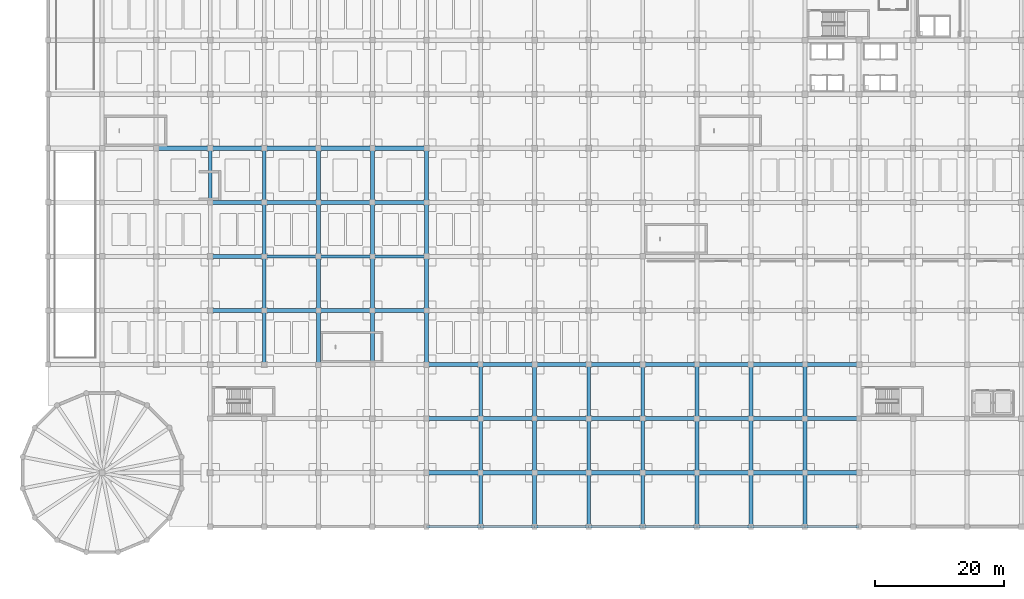
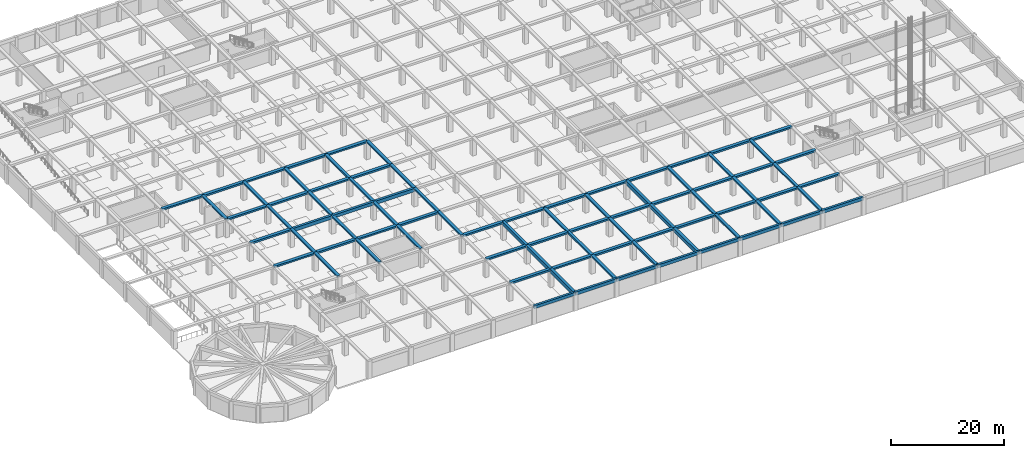
# One storey, part 4 of 32: 87 beams.
"""IFC4 building model written with IfcOpenShell, lengths in metres."""

from ifc_helpers import new_model, si_unit, direction, frame, origin, origin_2d, place, context, subcontext, project, spatial, rectangle, extrude, material, material_profile, profile_set, type_object, element, save


model = new_model("IFC4")

# Units and contexts
model_context = context("Model", 3, precision=1e-05, world=origin(), true_north=direction((0.0, 1.0)))
body_context = subcontext(model_context, "Body", "Model", "MODEL_VIEW")
ifc_project = project(units=[si_unit("LENGTHUNIT", "METRE"), si_unit("AREAUNIT", "SQUARE_METRE"), si_unit("VOLUMEUNIT", "CUBIC_METRE"), si_unit("PLANEANGLEUNIT", "RADIAN"), si_unit("MASSUNIT", "GRAM", prefix="KILO")], contexts=[model_context])

# Site, building, storey
site_placement = place(None, origin())
site = spatial("IfcSite", under=ifc_project, at=site_placement, CompositionType="ELEMENT")
building_placement = place(site_placement, origin())
building = spatial("IfcBuilding", under=site, at=building_placement, Name="Almacenes y Pasaje Nevantli", CompositionType="ELEMENT")
storey_placement = place(building_placement, frame((0.0, 0.0, -4.199951171875)))
storey = spatial("IfcBuildingStorey", under=building, at=storey_placement, Name="B01", CompositionType="ELEMENT", Elevation=-4.199951171875)

# Beams
ifc_material_1 = material(Name="Concrete C35/45", Category="concrete")
ifc_material_profile_1 = material_profile(ifc_material_1, rectangle(XDim=0.449951171875, YDim=0.64990234375, at=origin_2d()), Name="RC-BM-450x650")
ifc_profile_set_1 = profile_set([ifc_material_profile_1], Name="Concrete C35/45")
beam_type_1 = type_object("IfcBeamType", Name="BM-RC-450x650", PredefinedType="SPANDREL", material=ifc_profile_set_1)
for number, where, z_axis, x_axis, name in (
    (1, (58.800048828125, 0.0, 3.554931640625), (1.0, 0.0, 0.0), (0.0, 1.0, 0.0), "B01 East-West Reinforced Concrete Beam #609"),
    (2, (75.60009765625, 0.0, 3.554931640625), (1.0, 0.0, 0.0), (0.0, 1.0, 0.0), "B01 East-West Reinforced Concrete Beam #611"),
):
    element("IfcBeam", number, at=place(storey_placement, frame(where, z_axis=z_axis, x_axis=x_axis)), inside=storey, type_object=beam_type_1, Name=name, PredefinedType="SPANDREL", context=body_context, shape_type="SweptSolid", body=[
        extrude(rectangle(XDim=0.449951171875, YDim=0.64990234375, at=origin_2d()), origin(), (0.0, 0.0, 1.0), 8.39990234375),
    ])
for number, where, z_axis, x_axis, name in (
    (3, (92.39990234375, 0.0, 3.554931640625), (1.0, 0.0, 0.0), (0.0, 1.0, 0.0), "B01 East-West Reinforced Concrete Beam #613"),
    (4, (109.199951171875, 0.0, 3.554931640625), (1.0, 0.0, 0.0), (0.0, 1.0, 0.0), "B01 East-West Reinforced Concrete Beam #615"),
):
    element("IfcBeam", number, at=place(storey_placement, frame(where, z_axis=z_axis, x_axis=x_axis)), inside=storey, type_object=beam_type_1, Name=name, PredefinedType="SPANDREL", context=body_context, shape_type="SweptSolid", body=[
        extrude(rectangle(XDim=0.449951171875, YDim=0.64990234375, at=origin_2d()), origin(), (0.0, 0.0, 1.0), 8.400146484375),
    ])
ifc_material_2 = material(Name="Concrete C35/45", Category="concrete")
ifc_material_profile_2 = material_profile(ifc_material_2, rectangle(XDim=0.449951171875, YDim=0.699951171875, at=origin_2d()), Name="RC-BM-450x700")
ifc_profile_set_2 = profile_set([ifc_material_profile_2], Name="Concrete C35/45")
beam_type_2 = type_object("IfcBeamType", Name="BM-RC-450x700", PredefinedType="SPANDREL", material=ifc_profile_set_2)
beam_1_placement = place(storey_placement, frame((67.199951171875, 0.0, 3.530029296875), z_axis=(1.0, 0.0, 0.0), x_axis=(0.0, 1.0, 0.0)))
element("IfcBeam", 5, at=beam_1_placement, inside=storey, type_object=beam_type_2, Name="B01 East-West Reinforced Concrete Beam #610", PredefinedType="SPANDREL", context=body_context, shape_type="SweptSolid", body=[
    extrude(rectangle(XDim=0.449951171875, YDim=0.699951171875, at=origin_2d()), origin(), (0.0, 0.0, 1.0), 8.400146484375),
])
for number, where, z_axis, x_axis, name in (
    (6, (84.0, 0.0, 3.530029296875), (1.0, 0.0, 0.0), (0.0, 1.0, 0.0), "B01 East-West Reinforced Concrete Beam #612"),
    (7, (100.800048828125, 0.0, 3.530029296875), (1.0, 0.0, 0.0), (0.0, 1.0, 0.0), "B01 East-West Reinforced Concrete Beam #614"),
    (8, (117.60009765625, 0.0, 3.530029296875), (1.0, 0.0, 0.0), (0.0, 1.0, 0.0), "B01 East-West Reinforced Concrete Beam #616"),
):
    element("IfcBeam", number, at=place(storey_placement, frame(where, z_axis=z_axis, x_axis=x_axis)), inside=storey, type_object=beam_type_2, Name=name, PredefinedType="SPANDREL", context=body_context, shape_type="SweptSolid", body=[
        extrude(rectangle(XDim=0.449951171875, YDim=0.699951171875, at=origin_2d()), origin(), (0.0, 0.0, 1.0), 8.39990234375),
    ])
ifc_material_3 = material(Name="Concrete C35/45", Category="concrete")
ifc_material_profile_3 = material_profile(ifc_material_3, rectangle(XDim=0.5, YDim=0.699951171875, at=origin_2d()), Name="RC-BM-500x700")
ifc_profile_set_3 = profile_set([ifc_material_profile_3], Name="Concrete C35/45")
beam_type_3 = type_object("IfcBeamType", Name="BM-RC-500x700", PredefinedType="BEAM", material=ifc_profile_set_3)
beam_2_placement = place(storey_placement, frame((42.0, 42.0, 3.530029296875), z_axis=(1.0, 0.0, 0.0), x_axis=(0.0, 1.0, 0.0)))
element("IfcBeam", 9, at=beam_2_placement, inside=storey, type_object=beam_type_3, Name="B01 East-West Reinforced Concrete Beam #701", PredefinedType="BEAM", context=body_context, shape_type="SweptSolid", body=[
    extrude(rectangle(XDim=0.5, YDim=0.699951171875, at=origin_2d()), origin(), (0.0, 0.0, 1.0), 8.39990234375),
])
ifc_material_4 = material(Name="Concrete C35/45", Category="concrete")
ifc_material_profile_4 = material_profile(ifc_material_4, rectangle(XDim=0.5, YDim=0.75, at=origin_2d()), Name="RC-BM-500x750")
ifc_profile_set_4 = profile_set([ifc_material_profile_4], Name="Concrete C35/45")
beam_type_4 = type_object("IfcBeamType", Name="BM-RC-500x750", PredefinedType="BEAM", material=ifc_profile_set_4)
beam_3_placement = place(storey_placement, frame((33.60009765625, 42.0, 3.5048828125), z_axis=(1.0, 0.0, 0.0), x_axis=(0.0, 1.0, 0.0)))
element("IfcBeam", 10, at=beam_3_placement, inside=storey, type_object=beam_type_4, Name="B01 East-West Reinforced Concrete Beam #700", PredefinedType="BEAM", context=body_context, shape_type="SweptSolid", body=[
    extrude(rectangle(XDim=0.5, YDim=0.75, at=origin_2d()), origin(), (0.0, 0.0, 1.0), 8.39990234375),
])
beam_4_placement = place(storey_placement, frame((50.39990234375, 42.0, 3.5048828125), z_axis=(1.0, 0.0, 0.0), x_axis=(0.0, 1.0, 0.0)))
element("IfcBeam", 11, at=beam_4_placement, inside=storey, type_object=beam_type_4, Name="B01 East-West Reinforced Concrete Beam #702", PredefinedType="BEAM", context=body_context, shape_type="SweptSolid", body=[
    extrude(rectangle(XDim=0.5, YDim=0.75, at=origin_2d()), origin(), (0.0, 0.0, 1.0), 8.400146484375),
])
ifc_material_5 = material(Name="Concrete C35/45", Category="concrete")
ifc_material_profile_5 = material_profile(ifc_material_5, rectangle(XDim=0.550048828125, YDim=0.800048828125, at=origin_2d()), Name="RC-BM-550x800")
ifc_profile_set_5 = profile_set([ifc_material_profile_5], Name="Concrete C35/45")
beam_type_5 = type_object("IfcBeamType", Name="BM-RC-550x800", PredefinedType="BEAM", material=ifc_profile_set_5)
beam_5_placement = place(storey_placement, frame((67.199951171875, 0.0, 3.47998046875), z_axis=(0.0, 1.0, 0.0), x_axis=(-1.0, 0.0, 0.0)))
element("IfcBeam", 12, at=beam_5_placement, inside=storey, type_object=beam_type_5, Name="B01 North-South Reinforced Concrete Beam #996", PredefinedType="BEAM", context=body_context, shape_type="SweptSolid", body=[
    extrude(rectangle(XDim=0.550048828125, YDim=0.800048828125, at=origin_2d()), origin(), (0.0, 0.0, 1.0), 8.39990234375),
])
beam_6_placement = place(storey_placement, frame((67.199951171875, 8.39990234375, 3.47998046875), z_axis=(0.0, 1.0, 0.0), x_axis=(-1.0, 0.0, 0.0)))
element("IfcBeam", 13, at=beam_6_placement, inside=storey, type_object=beam_type_5, Name="B01 North-South Reinforced Concrete Beam #997", PredefinedType="BEAM", context=body_context, shape_type="SweptSolid", body=[
    extrude(rectangle(XDim=0.550048828125, YDim=0.800048828125, at=origin_2d()), origin(), (0.0, 0.0, 1.0), 8.400146484375),
])
for number, where, z_axis, x_axis, name in (
    (14, (67.199951171875, 16.800048828125, 3.47998046875), (0.0, 1.0, 0.0), (-1.0, 0.0, 0.0), "B01 North-South Reinforced Concrete Beam #998"),
    (15, (92.39990234375, 0.0, 3.47998046875), (0.0, 1.0, 0.0), (-1.0, 0.0, 0.0), "B01 North-South Reinforced Concrete Beam #1038"),
):
    element("IfcBeam", number, at=place(storey_placement, frame(where, z_axis=z_axis, x_axis=x_axis)), inside=storey, type_object=beam_type_5, Name=name, PredefinedType="BEAM", context=body_context, shape_type="SweptSolid", body=[
        extrude(rectangle(XDim=0.550048828125, YDim=0.800048828125, at=origin_2d()), origin(), (0.0, 0.0, 1.0), 8.39990234375),
    ])
beam_7_placement = place(storey_placement, frame((92.39990234375, 8.39990234375, 3.47998046875), z_axis=(0.0, 1.0, 0.0), x_axis=(-1.0, 0.0, 0.0)))
element("IfcBeam", 16, at=beam_7_placement, inside=storey, type_object=beam_type_5, Name="B01 North-South Reinforced Concrete Beam #1039", PredefinedType="BEAM", context=body_context, shape_type="SweptSolid", body=[
    extrude(rectangle(XDim=0.550048828125, YDim=0.800048828125, at=origin_2d()), origin(), (0.0, 0.0, 1.0), 8.400146484375),
])
beam_8_placement = place(storey_placement, frame((92.39990234375, 16.800048828125, 3.47998046875), z_axis=(0.0, 1.0, 0.0), x_axis=(-1.0, 0.0, 0.0)))
element("IfcBeam", 17, at=beam_8_placement, inside=storey, type_object=beam_type_5, Name="B01 North-South Reinforced Concrete Beam #1040", PredefinedType="BEAM", context=body_context, shape_type="SweptSolid", body=[
    extrude(rectangle(XDim=0.550048828125, YDim=0.800048828125, at=origin_2d()), origin(), (0.0, 0.0, 1.0), 8.39990234375),
])
ifc_material_6 = material(Name="Concrete C35/45", Category="concrete")
ifc_material_profile_6 = material_profile(ifc_material_6, rectangle(XDim=0.60009765625, YDim=0.320068359375, at=origin_2d()), Name="RC-BM-600x320")
ifc_profile_set_6 = profile_set([ifc_material_profile_6], Name="Concrete C35/45")
beam_type_6 = type_object("IfcBeamType", Name="BM-RC-600x320", PredefinedType="BEAM", material=ifc_profile_set_6)
for number, where, z_axis, x_axis, name in (
    (18, (25.199951171875, 50.39990234375, 3.719970703125), (0.0, 1.0, 0.0), (-1.0, 0.0, 0.0), "B01 North-South Reinforced Concrete Beam #934"),
    (19, (33.60009765625, 25.199951171875, 3.719970703125), (0.0, 1.0, 0.0), (-1.0, 0.0, 0.0), "B01 North-South Reinforced Concrete Beam #944"),
):
    element("IfcBeam", number, at=place(storey_placement, frame(where, z_axis=z_axis, x_axis=x_axis)), inside=storey, type_object=beam_type_6, Name=name, PredefinedType="BEAM", context=body_context, shape_type="SweptSolid", body=[
        extrude(rectangle(XDim=0.60009765625, YDim=0.320068359375, at=origin_2d()), origin(), (0.0, 0.0, 1.0), 8.400146484375),
    ])
for number, where, z_axis, x_axis, name in (
    (20, (33.60009765625, 42.0, 3.719970703125), (0.0, 1.0, 0.0), (-1.0, 0.0, 0.0), "B01 North-South Reinforced Concrete Beam #946"),
    (21, (42.0, 33.60009765625, 3.719970703125), (0.0, 1.0, 0.0), (-1.0, 0.0, 0.0), "B01 North-South Reinforced Concrete Beam #959"),
):
    element("IfcBeam", number, at=place(storey_placement, frame(where, z_axis=z_axis, x_axis=x_axis)), inside=storey, type_object=beam_type_6, Name=name, PredefinedType="BEAM", context=body_context, shape_type="SweptSolid", body=[
        extrude(rectangle(XDim=0.60009765625, YDim=0.320068359375, at=origin_2d()), origin(), (0.0, 0.0, 1.0), 8.39990234375),
    ])
for number, where, z_axis, x_axis, name in (
    (22, (42.0, 50.39990234375, 3.719970703125), (0.0, 1.0, 0.0), (-1.0, 0.0, 0.0), "B01 North-South Reinforced Concrete Beam #961"),
    (23, (50.39990234375, 25.199951171875, 3.719970703125), (0.0, 1.0, 0.0), (-1.0, 0.0, 0.0), "B01 North-South Reinforced Concrete Beam #972"),
):
    element("IfcBeam", number, at=place(storey_placement, frame(where, z_axis=z_axis, x_axis=x_axis)), inside=storey, type_object=beam_type_6, Name=name, PredefinedType="BEAM", context=body_context, shape_type="SweptSolid", body=[
        extrude(rectangle(XDim=0.60009765625, YDim=0.320068359375, at=origin_2d()), origin(), (0.0, 0.0, 1.0), 8.400146484375),
    ])
for number, where, z_axis, x_axis, name in (
    (24, (50.39990234375, 42.0, 3.719970703125), (0.0, 1.0, 0.0), (-1.0, 0.0, 0.0), "B01 North-South Reinforced Concrete Beam #974"),
    (25, (58.800048828125, 33.60009765625, 3.719970703125), (0.0, 1.0, 0.0), (-1.0, 0.0, 0.0), "B01 North-South Reinforced Concrete Beam #987"),
):
    element("IfcBeam", number, at=place(storey_placement, frame(where, z_axis=z_axis, x_axis=x_axis)), inside=storey, type_object=beam_type_6, Name=name, PredefinedType="BEAM", context=body_context, shape_type="SweptSolid", body=[
        extrude(rectangle(XDim=0.60009765625, YDim=0.320068359375, at=origin_2d()), origin(), (0.0, 0.0, 1.0), 8.39990234375),
    ])
beam_9_placement = place(storey_placement, frame((58.800048828125, 50.39990234375, 3.719970703125), z_axis=(0.0, 1.0, 0.0), x_axis=(-1.0, 0.0, 0.0)))
element("IfcBeam", 26, at=beam_9_placement, inside=storey, type_object=beam_type_6, Name="B01 North-South Reinforced Concrete Beam #989", PredefinedType="BEAM", context=body_context, shape_type="SweptSolid", body=[
    extrude(rectangle(XDim=0.60009765625, YDim=0.320068359375, at=origin_2d()), origin(), (0.0, 0.0, 1.0), 8.400146484375),
])
for number, where, z_axis, x_axis, name in (
    (27, (75.60009765625, 0.0, 3.719970703125), (0.0, 1.0, 0.0), (-1.0, 0.0, 0.0), "B01 North-South Reinforced Concrete Beam #1010"),
    (28, (75.60009765625, 16.800048828125, 3.719970703125), (0.0, 1.0, 0.0), (-1.0, 0.0, 0.0), "B01 North-South Reinforced Concrete Beam #1012"),
):
    element("IfcBeam", number, at=place(storey_placement, frame(where, z_axis=z_axis, x_axis=x_axis)), inside=storey, type_object=beam_type_6, Name=name, PredefinedType="BEAM", context=body_context, shape_type="SweptSolid", body=[
        extrude(rectangle(XDim=0.60009765625, YDim=0.320068359375, at=origin_2d()), origin(), (0.0, 0.0, 1.0), 8.39990234375),
    ])
for number, where, z_axis, x_axis, name in (
    (29, (84.0, 8.39990234375, 3.719970703125), (0.0, 1.0, 0.0), (-1.0, 0.0, 0.0), "B01 North-South Reinforced Concrete Beam #1025"),
    (30, (100.800048828125, 8.39990234375, 3.719970703125), (0.0, 1.0, 0.0), (-1.0, 0.0, 0.0), "B01 North-South Reinforced Concrete Beam #1053"),
):
    element("IfcBeam", number, at=place(storey_placement, frame(where, z_axis=z_axis, x_axis=x_axis)), inside=storey, type_object=beam_type_6, Name=name, PredefinedType="BEAM", context=body_context, shape_type="SweptSolid", body=[
        extrude(rectangle(XDim=0.60009765625, YDim=0.320068359375, at=origin_2d()), origin(), (0.0, 0.0, 1.0), 8.400146484375),
    ])
for number, where, z_axis, x_axis, name in (
    (31, (109.199951171875, 0.0, 3.719970703125), (0.0, 1.0, 0.0), (-1.0, 0.0, 0.0), "B01 North-South Reinforced Concrete Beam #1066"),
    (32, (109.199951171875, 16.800048828125, 3.719970703125), (0.0, 1.0, 0.0), (-1.0, 0.0, 0.0), "B01 North-South Reinforced Concrete Beam #1068"),
):
    element("IfcBeam", number, at=place(storey_placement, frame(where, z_axis=z_axis, x_axis=x_axis)), inside=storey, type_object=beam_type_6, Name=name, PredefinedType="BEAM", context=body_context, shape_type="SweptSolid", body=[
        extrude(rectangle(XDim=0.60009765625, YDim=0.320068359375, at=origin_2d()), origin(), (0.0, 0.0, 1.0), 8.39990234375),
    ])
beam_10_placement = place(storey_placement, frame((117.60009765625, 8.39990234375, 3.719970703125), z_axis=(0.0, 1.0, 0.0), x_axis=(-1.0, 0.0, 0.0)))
element("IfcBeam", 33, at=beam_10_placement, inside=storey, type_object=beam_type_6, Name="B01 North-South Reinforced Concrete Beam #1081", PredefinedType="BEAM", context=body_context, shape_type="SweptSolid", body=[
    extrude(rectangle(XDim=0.60009765625, YDim=0.320068359375, at=origin_2d()), origin(), (0.0, 0.0, 1.0), 8.400146484375),
])
ifc_material_7 = material(Name="Concrete C35/45", Category="concrete")
ifc_material_profile_7 = material_profile(ifc_material_7, rectangle(XDim=0.60009765625, YDim=0.340087890625, at=origin_2d()), Name="RC-BM-600x340")
ifc_profile_set_7 = profile_set([ifc_material_profile_7], Name="Concrete C35/45")
beam_type_7 = type_object("IfcBeamType", Name="BM-RC-600x340", PredefinedType="BEAM", material=ifc_profile_set_7)
beam_11_placement = place(storey_placement, frame((33.60009765625, 33.60009765625, 3.7099609375), z_axis=(0.0, 1.0, 0.0), x_axis=(-1.0, 0.0, 0.0)))
element("IfcBeam", 34, at=beam_11_placement, inside=storey, type_object=beam_type_7, Name="B01 North-South Reinforced Concrete Beam #945", PredefinedType="BEAM", context=body_context, shape_type="SweptSolid", body=[
    extrude(rectangle(XDim=0.60009765625, YDim=0.340087890625, at=origin_2d()), origin(), (0.0, 0.0, 1.0), 8.39990234375),
])
for number, where, z_axis, x_axis, name in (
    (35, (33.60009765625, 50.39990234375, 3.7099609375), (0.0, 1.0, 0.0), (-1.0, 0.0, 0.0), "B01 North-South Reinforced Concrete Beam #947"),
    (36, (42.0, 25.199951171875, 3.7099609375), (0.0, 1.0, 0.0), (-1.0, 0.0, 0.0), "B01 North-South Reinforced Concrete Beam #958"),
):
    element("IfcBeam", number, at=place(storey_placement, frame(where, z_axis=z_axis, x_axis=x_axis)), inside=storey, type_object=beam_type_7, Name=name, PredefinedType="BEAM", context=body_context, shape_type="SweptSolid", body=[
        extrude(rectangle(XDim=0.60009765625, YDim=0.340087890625, at=origin_2d()), origin(), (0.0, 0.0, 1.0), 8.400146484375),
    ])
for number, where, z_axis, x_axis, name in (
    (37, (42.0, 42.0, 3.7099609375), (0.0, 1.0, 0.0), (-1.0, 0.0, 0.0), "B01 North-South Reinforced Concrete Beam #960"),
    (38, (50.39990234375, 33.60009765625, 3.7099609375), (0.0, 1.0, 0.0), (-1.0, 0.0, 0.0), "B01 North-South Reinforced Concrete Beam #973"),
):
    element("IfcBeam", number, at=place(storey_placement, frame(where, z_axis=z_axis, x_axis=x_axis)), inside=storey, type_object=beam_type_7, Name=name, PredefinedType="BEAM", context=body_context, shape_type="SweptSolid", body=[
        extrude(rectangle(XDim=0.60009765625, YDim=0.340087890625, at=origin_2d()), origin(), (0.0, 0.0, 1.0), 8.39990234375),
    ])
for number, where, z_axis, x_axis, name in (
    (39, (50.39990234375, 50.39990234375, 3.7099609375), (0.0, 1.0, 0.0), (-1.0, 0.0, 0.0), "B01 North-South Reinforced Concrete Beam #975"),
    (40, (58.800048828125, 25.199951171875, 3.7099609375), (0.0, 1.0, 0.0), (-1.0, 0.0, 0.0), "B01 North-South Reinforced Concrete Beam #986"),
):
    element("IfcBeam", number, at=place(storey_placement, frame(where, z_axis=z_axis, x_axis=x_axis)), inside=storey, type_object=beam_type_7, Name=name, PredefinedType="BEAM", context=body_context, shape_type="SweptSolid", body=[
        extrude(rectangle(XDim=0.60009765625, YDim=0.340087890625, at=origin_2d()), origin(), (0.0, 0.0, 1.0), 8.400146484375),
    ])
beam_12_placement = place(storey_placement, frame((58.800048828125, 42.0, 3.7099609375), z_axis=(0.0, 1.0, 0.0), x_axis=(-1.0, 0.0, 0.0)))
element("IfcBeam", 41, at=beam_12_placement, inside=storey, type_object=beam_type_7, Name="B01 North-South Reinforced Concrete Beam #988", PredefinedType="BEAM", context=body_context, shape_type="SweptSolid", body=[
    extrude(rectangle(XDim=0.60009765625, YDim=0.340087890625, at=origin_2d()), origin(), (0.0, 0.0, 1.0), 8.39990234375),
])
beam_13_placement = place(storey_placement, frame((75.60009765625, 8.39990234375, 3.7099609375), z_axis=(0.0, 1.0, 0.0), x_axis=(-1.0, 0.0, 0.0)))
element("IfcBeam", 42, at=beam_13_placement, inside=storey, type_object=beam_type_7, Name="B01 North-South Reinforced Concrete Beam #1011", PredefinedType="BEAM", context=body_context, shape_type="SweptSolid", body=[
    extrude(rectangle(XDim=0.60009765625, YDim=0.340087890625, at=origin_2d()), origin(), (0.0, 0.0, 1.0), 8.400146484375),
])
for number, where, z_axis, x_axis, name in (
    (43, (84.0, 0.0, 3.7099609375), (0.0, 1.0, 0.0), (-1.0, 0.0, 0.0), "B01 North-South Reinforced Concrete Beam #1024"),
    (44, (84.0, 16.800048828125, 3.7099609375), (0.0, 1.0, 0.0), (-1.0, 0.0, 0.0), "B01 North-South Reinforced Concrete Beam #1026"),
    (45, (100.800048828125, 0.0, 3.7099609375), (0.0, 1.0, 0.0), (-1.0, 0.0, 0.0), "B01 North-South Reinforced Concrete Beam #1052"),
    (46, (100.800048828125, 16.800048828125, 3.7099609375), (0.0, 1.0, 0.0), (-1.0, 0.0, 0.0), "B01 North-South Reinforced Concrete Beam #1054"),
):
    element("IfcBeam", number, at=place(storey_placement, frame(where, z_axis=z_axis, x_axis=x_axis)), inside=storey, type_object=beam_type_7, Name=name, PredefinedType="BEAM", context=body_context, shape_type="SweptSolid", body=[
        extrude(rectangle(XDim=0.60009765625, YDim=0.340087890625, at=origin_2d()), origin(), (0.0, 0.0, 1.0), 8.39990234375),
    ])
beam_14_placement = place(storey_placement, frame((109.199951171875, 8.39990234375, 3.7099609375), z_axis=(0.0, 1.0, 0.0), x_axis=(-1.0, 0.0, 0.0)))
element("IfcBeam", 47, at=beam_14_placement, inside=storey, type_object=beam_type_7, Name="B01 North-South Reinforced Concrete Beam #1067", PredefinedType="BEAM", context=body_context, shape_type="SweptSolid", body=[
    extrude(rectangle(XDim=0.60009765625, YDim=0.340087890625, at=origin_2d()), origin(), (0.0, 0.0, 1.0), 8.400146484375),
])
for number, where, z_axis, x_axis, name in (
    (48, (117.60009765625, 0.0, 3.7099609375), (0.0, 1.0, 0.0), (-1.0, 0.0, 0.0), "B01 North-South Reinforced Concrete Beam #1080"),
    (49, (117.60009765625, 16.800048828125, 3.7099609375), (0.0, 1.0, 0.0), (-1.0, 0.0, 0.0), "B01 North-South Reinforced Concrete Beam #1082"),
):
    element("IfcBeam", number, at=place(storey_placement, frame(where, z_axis=z_axis, x_axis=x_axis)), inside=storey, type_object=beam_type_7, Name=name, PredefinedType="BEAM", context=body_context, shape_type="SweptSolid", body=[
        extrude(rectangle(XDim=0.60009765625, YDim=0.340087890625, at=origin_2d()), origin(), (0.0, 0.0, 1.0), 8.39990234375),
    ])
ifc_material_8 = material(Name="Concrete C35/45", Category="concrete")
ifc_material_profile_8 = material_profile(ifc_material_8, rectangle(XDim=0.64990234375, YDim=0.35009765625, at=origin_2d()), Name="RC-BM-650x350")
ifc_profile_set_8 = profile_set([ifc_material_profile_8], Name="Concrete C35/45")
beam_type_8 = type_object("IfcBeamType", Name="BM-RC-650x350", PredefinedType="BEAM", material=ifc_profile_set_8)
beam_15_placement = place(storey_placement, frame((67.199951171875, 8.39990234375, 3.704833984375), z_axis=(1.0, 0.0, 0.0), x_axis=(0.0, 1.0, 0.0)))
element("IfcBeam", 50, at=beam_15_placement, inside=storey, type_object=beam_type_8, Name="B01 East-West Reinforced Concrete Beam #627", PredefinedType="BEAM", context=body_context, shape_type="SweptSolid", body=[
    extrude(rectangle(XDim=0.64990234375, YDim=0.35009765625, at=origin_2d()), origin(), (0.0, 0.0, 1.0), 8.400146484375),
])
for number, where, z_axis, x_axis, name in (
    (51, (84.0, 8.39990234375, 3.704833984375), (1.0, 0.0, 0.0), (0.0, 1.0, 0.0), "B01 East-West Reinforced Concrete Beam #629"),
    (52, (100.800048828125, 8.39990234375, 3.704833984375), (1.0, 0.0, 0.0), (0.0, 1.0, 0.0), "B01 East-West Reinforced Concrete Beam #631"),
    (53, (117.60009765625, 8.39990234375, 3.704833984375), (1.0, 0.0, 0.0), (0.0, 1.0, 0.0), "B01 East-West Reinforced Concrete Beam #633"),
    (54, (58.800048828125, 16.800048828125, 3.704833984375), (1.0, 0.0, 0.0), (0.0, 1.0, 0.0), "B01 East-West Reinforced Concrete Beam #643"),
    (55, (75.60009765625, 16.800048828125, 3.704833984375), (1.0, 0.0, 0.0), (0.0, 1.0, 0.0), "B01 East-West Reinforced Concrete Beam #645"),
):
    element("IfcBeam", number, at=place(storey_placement, frame(where, z_axis=z_axis, x_axis=x_axis)), inside=storey, type_object=beam_type_8, Name=name, PredefinedType="BEAM", context=body_context, shape_type="SweptSolid", body=[
        extrude(rectangle(XDim=0.64990234375, YDim=0.35009765625, at=origin_2d()), origin(), (0.0, 0.0, 1.0), 8.39990234375),
    ])
for number, where, z_axis, x_axis, name in (
    (56, (92.39990234375, 16.800048828125, 3.704833984375), (1.0, 0.0, 0.0), (0.0, 1.0, 0.0), "B01 East-West Reinforced Concrete Beam #647"),
    (57, (109.199951171875, 16.800048828125, 3.704833984375), (1.0, 0.0, 0.0), (0.0, 1.0, 0.0), "B01 East-West Reinforced Concrete Beam #649"),
    (58, (67.199951171875, 25.199951171875, 3.704833984375), (1.0, 0.0, 0.0), (0.0, 1.0, 0.0), "B01 East-West Reinforced Concrete Beam #664"),
):
    element("IfcBeam", number, at=place(storey_placement, frame(where, z_axis=z_axis, x_axis=x_axis)), inside=storey, type_object=beam_type_8, Name=name, PredefinedType="BEAM", context=body_context, shape_type="SweptSolid", body=[
        extrude(rectangle(XDim=0.64990234375, YDim=0.35009765625, at=origin_2d()), origin(), (0.0, 0.0, 1.0), 8.400146484375),
    ])
for number, where, z_axis, x_axis, name in (
    (59, (84.0, 25.199951171875, 3.704833984375), (1.0, 0.0, 0.0), (0.0, 1.0, 0.0), "B01 East-West Reinforced Concrete Beam #666"),
    (60, (100.800048828125, 25.199951171875, 3.704833984375), (1.0, 0.0, 0.0), (0.0, 1.0, 0.0), "B01 East-West Reinforced Concrete Beam #668"),
    (61, (117.60009765625, 25.199951171875, 3.704833984375), (1.0, 0.0, 0.0), (0.0, 1.0, 0.0), "B01 East-West Reinforced Concrete Beam #670"),
):
    element("IfcBeam", number, at=place(storey_placement, frame(where, z_axis=z_axis, x_axis=x_axis)), inside=storey, type_object=beam_type_8, Name=name, PredefinedType="BEAM", context=body_context, shape_type="SweptSolid", body=[
        extrude(rectangle(XDim=0.64990234375, YDim=0.35009765625, at=origin_2d()), origin(), (0.0, 0.0, 1.0), 8.39990234375),
    ])
beam_16_placement = place(storey_placement, frame((25.199951171875, 33.60009765625, 3.704833984375), z_axis=(1.0, 0.0, 0.0), x_axis=(0.0, 1.0, 0.0)))
element("IfcBeam", 62, at=beam_16_placement, inside=storey, type_object=beam_type_8, Name="B01 East-West Reinforced Concrete Beam #679", PredefinedType="BEAM", context=body_context, shape_type="SweptSolid", body=[
    extrude(rectangle(XDim=0.64990234375, YDim=0.35009765625, at=origin_2d()), origin(), (0.0, 0.0, 1.0), 8.400146484375),
])
beam_17_placement = place(storey_placement, frame((42.0, 33.60009765625, 3.704833984375), z_axis=(1.0, 0.0, 0.0), x_axis=(0.0, 1.0, 0.0)))
element("IfcBeam", 63, at=beam_17_placement, inside=storey, type_object=beam_type_8, Name="B01 East-West Reinforced Concrete Beam #681", PredefinedType="BEAM", context=body_context, shape_type="SweptSolid", body=[
    extrude(rectangle(XDim=0.64990234375, YDim=0.35009765625, at=origin_2d()), origin(), (0.0, 0.0, 1.0), 8.39990234375),
])
beam_18_placement = place(storey_placement, frame((25.199951171875, 50.39990234375, 3.704833984375), z_axis=(1.0, 0.0, 0.0), x_axis=(0.0, 1.0, 0.0)))
element("IfcBeam", 64, at=beam_18_placement, inside=storey, type_object=beam_type_8, Name="B01 East-West Reinforced Concrete Beam #719", PredefinedType="BEAM", context=body_context, shape_type="SweptSolid", body=[
    extrude(rectangle(XDim=0.64990234375, YDim=0.35009765625, at=origin_2d()), origin(), (0.0, 0.0, 1.0), 8.400146484375),
])
for number, where, z_axis, x_axis, name in (
    (65, (42.0, 50.39990234375, 3.704833984375), (1.0, 0.0, 0.0), (0.0, 1.0, 0.0), "B01 East-West Reinforced Concrete Beam #721"),
    (66, (16.800048828125, 58.800048828125, 3.704833984375), (1.0, 0.0, 0.0), (0.0, 1.0, 0.0), "B01 East-West Reinforced Concrete Beam #738"),
    (67, (33.60009765625, 58.800048828125, 3.704833984375), (1.0, 0.0, 0.0), (0.0, 1.0, 0.0), "B01 East-West Reinforced Concrete Beam #740"),
):
    element("IfcBeam", number, at=place(storey_placement, frame(where, z_axis=z_axis, x_axis=x_axis)), inside=storey, type_object=beam_type_8, Name=name, PredefinedType="BEAM", context=body_context, shape_type="SweptSolid", body=[
        extrude(rectangle(XDim=0.64990234375, YDim=0.35009765625, at=origin_2d()), origin(), (0.0, 0.0, 1.0), 8.39990234375),
    ])
beam_19_placement = place(storey_placement, frame((50.39990234375, 58.800048828125, 3.704833984375), z_axis=(1.0, 0.0, 0.0), x_axis=(0.0, 1.0, 0.0)))
element("IfcBeam", 68, at=beam_19_placement, inside=storey, type_object=beam_type_8, Name="B01 East-West Reinforced Concrete Beam #742", PredefinedType="BEAM", context=body_context, shape_type="SweptSolid", body=[
    extrude(rectangle(XDim=0.64990234375, YDim=0.35009765625, at=origin_2d()), origin(), (0.0, 0.0, 1.0), 8.400146484375),
])
ifc_material_9 = material(Name="Concrete C35/45", Category="concrete")
ifc_material_profile_9 = material_profile(ifc_material_9, rectangle(XDim=0.64990234375, YDim=0.3798828125, at=origin_2d()), Name="RC-BM-650x380")
ifc_profile_set_9 = profile_set([ifc_material_profile_9], Name="Concrete C35/45")
beam_type_9 = type_object("IfcBeamType", Name="BM-RC-650x380", PredefinedType="BEAM", material=ifc_profile_set_9)
for number, where, z_axis, x_axis, name in (
    (69, (58.800048828125, 8.39990234375, 3.68994140625), (1.0, 0.0, 0.0), (0.0, 1.0, 0.0), "B01 East-West Reinforced Concrete Beam #626"),
    (70, (75.60009765625, 8.39990234375, 3.68994140625), (1.0, 0.0, 0.0), (0.0, 1.0, 0.0), "B01 East-West Reinforced Concrete Beam #628"),
):
    element("IfcBeam", number, at=place(storey_placement, frame(where, z_axis=z_axis, x_axis=x_axis)), inside=storey, type_object=beam_type_9, Name=name, PredefinedType="BEAM", context=body_context, shape_type="SweptSolid", body=[
        extrude(rectangle(XDim=0.64990234375, YDim=0.3798828125, at=origin_2d()), origin(), (0.0, 0.0, 1.0), 8.39990234375),
    ])
for number, where, z_axis, x_axis, name in (
    (71, (92.39990234375, 8.39990234375, 3.68994140625), (1.0, 0.0, 0.0), (0.0, 1.0, 0.0), "B01 East-West Reinforced Concrete Beam #630"),
    (72, (109.199951171875, 8.39990234375, 3.68994140625), (1.0, 0.0, 0.0), (0.0, 1.0, 0.0), "B01 East-West Reinforced Concrete Beam #632"),
    (73, (67.199951171875, 16.800048828125, 3.68994140625), (1.0, 0.0, 0.0), (0.0, 1.0, 0.0), "B01 East-West Reinforced Concrete Beam #644"),
):
    element("IfcBeam", number, at=place(storey_placement, frame(where, z_axis=z_axis, x_axis=x_axis)), inside=storey, type_object=beam_type_9, Name=name, PredefinedType="BEAM", context=body_context, shape_type="SweptSolid", body=[
        extrude(rectangle(XDim=0.64990234375, YDim=0.3798828125, at=origin_2d()), origin(), (0.0, 0.0, 1.0), 8.400146484375),
    ])
for number, where, z_axis, x_axis, name in (
    (74, (84.0, 16.800048828125, 3.68994140625), (1.0, 0.0, 0.0), (0.0, 1.0, 0.0), "B01 East-West Reinforced Concrete Beam #646"),
    (75, (100.800048828125, 16.800048828125, 3.68994140625), (1.0, 0.0, 0.0), (0.0, 1.0, 0.0), "B01 East-West Reinforced Concrete Beam #648"),
    (76, (117.60009765625, 16.800048828125, 3.68994140625), (1.0, 0.0, 0.0), (0.0, 1.0, 0.0), "B01 East-West Reinforced Concrete Beam #650"),
    (77, (58.800048828125, 25.199951171875, 3.68994140625), (1.0, 0.0, 0.0), (0.0, 1.0, 0.0), "B01 East-West Reinforced Concrete Beam #663"),
    (78, (75.60009765625, 25.199951171875, 3.68994140625), (1.0, 0.0, 0.0), (0.0, 1.0, 0.0), "B01 East-West Reinforced Concrete Beam #665"),
):
    element("IfcBeam", number, at=place(storey_placement, frame(where, z_axis=z_axis, x_axis=x_axis)), inside=storey, type_object=beam_type_9, Name=name, PredefinedType="BEAM", context=body_context, shape_type="SweptSolid", body=[
        extrude(rectangle(XDim=0.64990234375, YDim=0.3798828125, at=origin_2d()), origin(), (0.0, 0.0, 1.0), 8.39990234375),
    ])
for number, where, z_axis, x_axis, name in (
    (79, (92.39990234375, 25.199951171875, 3.68994140625), (1.0, 0.0, 0.0), (0.0, 1.0, 0.0), "B01 East-West Reinforced Concrete Beam #667"),
    (80, (109.199951171875, 25.199951171875, 3.68994140625), (1.0, 0.0, 0.0), (0.0, 1.0, 0.0), "B01 East-West Reinforced Concrete Beam #669"),
):
    element("IfcBeam", number, at=place(storey_placement, frame(where, z_axis=z_axis, x_axis=x_axis)), inside=storey, type_object=beam_type_9, Name=name, PredefinedType="BEAM", context=body_context, shape_type="SweptSolid", body=[
        extrude(rectangle(XDim=0.64990234375, YDim=0.3798828125, at=origin_2d()), origin(), (0.0, 0.0, 1.0), 8.400146484375),
    ])
beam_20_placement = place(storey_placement, frame((33.60009765625, 33.60009765625, 3.68994140625), z_axis=(1.0, 0.0, 0.0), x_axis=(0.0, 1.0, 0.0)))
element("IfcBeam", 81, at=beam_20_placement, inside=storey, type_object=beam_type_9, Name="B01 East-West Reinforced Concrete Beam #680", PredefinedType="BEAM", context=body_context, shape_type="SweptSolid", body=[
    extrude(rectangle(XDim=0.64990234375, YDim=0.3798828125, at=origin_2d()), origin(), (0.0, 0.0, 1.0), 8.39990234375),
])
for number, where, z_axis, x_axis, name in (
    (82, (50.39990234375, 33.60009765625, 3.68994140625), (1.0, 0.0, 0.0), (0.0, 1.0, 0.0), "B01 East-West Reinforced Concrete Beam #682"),
    (83, (25.199951171875, 42.0, 3.68994140625), (1.0, 0.0, 0.0), (0.0, 1.0, 0.0), "B01 East-West Reinforced Concrete Beam #699"),
):
    element("IfcBeam", number, at=place(storey_placement, frame(where, z_axis=z_axis, x_axis=x_axis)), inside=storey, type_object=beam_type_9, Name=name, PredefinedType="BEAM", context=body_context, shape_type="SweptSolid", body=[
        extrude(rectangle(XDim=0.64990234375, YDim=0.3798828125, at=origin_2d()), origin(), (0.0, 0.0, 1.0), 8.400146484375),
    ])
beam_21_placement = place(storey_placement, frame((33.60009765625, 50.39990234375, 3.68994140625), z_axis=(1.0, 0.0, 0.0), x_axis=(0.0, 1.0, 0.0)))
element("IfcBeam", 84, at=beam_21_placement, inside=storey, type_object=beam_type_9, Name="B01 East-West Reinforced Concrete Beam #720", PredefinedType="BEAM", context=body_context, shape_type="SweptSolid", body=[
    extrude(rectangle(XDim=0.64990234375, YDim=0.3798828125, at=origin_2d()), origin(), (0.0, 0.0, 1.0), 8.39990234375),
])
for number, where, z_axis, x_axis, name in (
    (85, (50.39990234375, 50.39990234375, 3.68994140625), (1.0, 0.0, 0.0), (0.0, 1.0, 0.0), "B01 East-West Reinforced Concrete Beam #722"),
    (86, (25.199951171875, 58.800048828125, 3.68994140625), (1.0, 0.0, 0.0), (0.0, 1.0, 0.0), "B01 East-West Reinforced Concrete Beam #739"),
):
    element("IfcBeam", number, at=place(storey_placement, frame(where, z_axis=z_axis, x_axis=x_axis)), inside=storey, type_object=beam_type_9, Name=name, PredefinedType="BEAM", context=body_context, shape_type="SweptSolid", body=[
        extrude(rectangle(XDim=0.64990234375, YDim=0.3798828125, at=origin_2d()), origin(), (0.0, 0.0, 1.0), 8.400146484375),
    ])
beam_22_placement = place(storey_placement, frame((42.0, 58.800048828125, 3.68994140625), z_axis=(1.0, 0.0, 0.0), x_axis=(0.0, 1.0, 0.0)))
element("IfcBeam", 87, at=beam_22_placement, inside=storey, type_object=beam_type_9, Name="B01 East-West Reinforced Concrete Beam #741", PredefinedType="BEAM", context=body_context, shape_type="SweptSolid", body=[
    extrude(rectangle(XDim=0.64990234375, YDim=0.3798828125, at=origin_2d()), origin(), (0.0, 0.0, 1.0), 8.39990234375),
])

save(model, "model.ifc")
